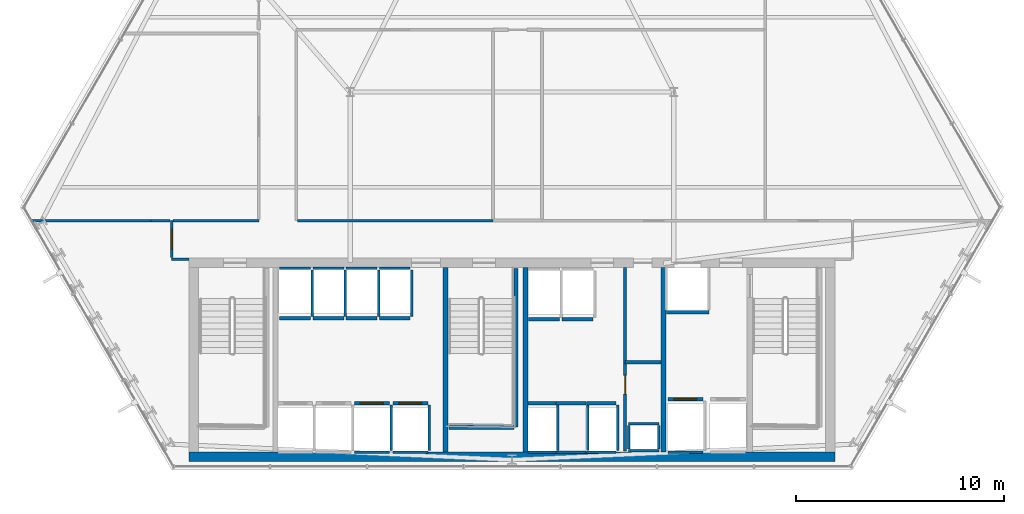
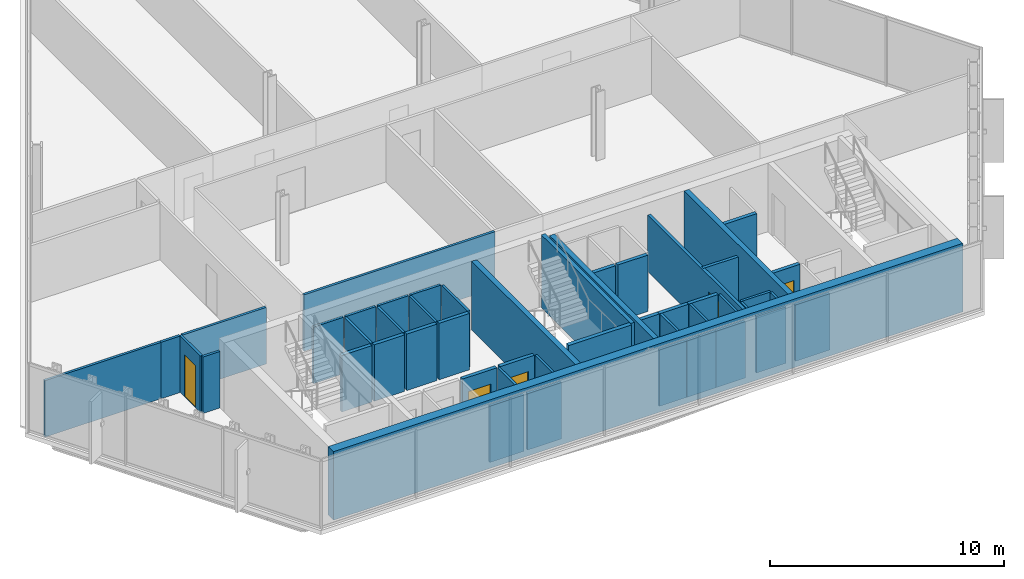
# One storey, part 27 of 33: 50 walls, 5 doors, 5 openings.
"""IFC4 building model written with IfcOpenShell, lengths in metres."""

from ifc_helpers import new_model, si_unit, direction, frame, frame_2d, origin, place, context, subcontext, project, spatial, rectangle, extrude, material, layer, layer_set, type_object, element, fill, save


model = new_model("IFC4")

# Units and contexts
model_context = context("Model", 3, precision=1e-05, world=origin(), true_north=direction((0.0, 1.0)))
body_context = subcontext(model_context, "Body", "Model", "MODEL_VIEW")
ifc_project = project(units=[si_unit("LENGTHUNIT", "METRE"), si_unit("AREAUNIT", "SQUARE_METRE"), si_unit("VOLUMEUNIT", "CUBIC_METRE"), si_unit("PLANEANGLEUNIT", "RADIAN"), si_unit("MASSUNIT", "GRAM", prefix="KILO")], contexts=[model_context])

# Site, building, storey
site_placement = place(None, origin())
site = spatial("IfcSite", under=ifc_project, at=site_placement, CompositionType="ELEMENT")
building_placement = place(site_placement, origin())
building = spatial("IfcBuilding", under=site, at=building_placement, Name="Ndaravel Arena Tower", CompositionType="ELEMENT")
storey_placement = place(building_placement, frame((0.0, 0.0, 81.60009765625)))
storey = spatial("IfcBuildingStorey", under=building, at=storey_placement, Name="L18", CompositionType="ELEMENT", Elevation=81.60009765625)

# Wall, opening, door
ifc_material_1 = material(Name="Gypsum", Category="gypsum")
ifc_layer_1 = layer(ifc_material_1, 0.14990234375)
ifc_layer_set_1 = layer_set([ifc_layer_1], Name="Gypsum")
wall_type_1 = type_object("IfcWallType", Name="WALL-COMP-150", PredefinedType="PARTITIONING", material=ifc_layer_set_1)
wall_1_placement = place(storey_placement, frame((47.449951171875, 5.89990234375, 0.0), z_axis=(0.0, 0.0, 1.0), x_axis=(0.0, 1.0, 0.0)))
wall_1 = element("IfcWall", 1, at=wall_1_placement, inside=storey, type_object=wall_type_1, Name="L18 Core Riser Bay Partition", PredefinedType="PARTITIONING", context=body_context, shape_type="SweptSolid", body=[
    extrude(rectangle(XDim=8.85009765625, YDim=0.14990234375, at=frame_2d((4.425048828125, 0.0))), origin(), (0.0, 0.0, 1.0), 2.949951171875),
])
opening_1_placement = place(wall_1_placement, frame((2.75, 0.0, 0.0)))
opening_1 = element("IfcOpeningElement", 2, at=opening_1_placement, cuts=wall_1, Name="Opening RD-01", PredefinedType="OPENING", context=body_context, shape_type="SweptSolid", body=[
    extrude(rectangle(XDim=0.89990234375, YDim=2.10009765625, at=frame_2d((0.449951171875, 1.050048828125))), frame((0.0, 0.074951171875, 0.0), z_axis=(0.0, -1.0, 0.0), x_axis=(1.0, 0.0, 0.0)), (0.0, 0.0, 1.0), 0.14990234375),
])
ifc_material_2 = material(Name="Steel S355", Category="steel")
door_type_1 = type_object("IfcDoorType", Name="DT-08-RISER-900", OperationType="SINGLE_SWING_LEFT", PredefinedType="DOOR", material=ifc_material_2)
door_1_placement = place(opening_1_placement, origin())
door_1 = element("IfcDoor", 3, at=door_1_placement, inside=storey, type_object=door_type_1, Name="L18 Electrical Riser Door", OperationType="SINGLE_SWING_RIGHT", OverallHeight=2.10009765625, OverallWidth=0.89990234375, PredefinedType="DOOR", context=body_context, shape_type="SweptSolid", body=[
    extrude(rectangle(XDim=0.89990234375, YDim=2.10009765625, at=frame_2d((0.449951171875, 1.050048828125))), frame((0.0, 0.02490234375, 0.0), z_axis=(0.0, -1.0, 0.0), x_axis=(1.0, 0.0, 0.0)), (0.0, 0.0, 1.0), 0.050048828125),
])
fill(opening_1, door_1)

# Walls
wall_2_placement = place(storey_placement, frame((47.449951171875, 10.179931640625, 0.0), z_axis=(0.0, 0.0, 1.0), x_axis=(1.0, 0.0, 0.0)))
element("IfcWall", 4, at=wall_2_placement, inside=storey, type_object=wall_type_1, Name="L18 Core Riser Divider 1", PredefinedType="PARTITIONING", context=body_context, shape_type="SweptSolid", body=[
    extrude(rectangle(XDim=1.72998046875, YDim=0.14990234375, at=frame_2d((0.864990234375, 0.0))), origin(), (0.0, 0.0, 1.0), 2.949951171875),
])
ifc_material_3 = material(Name="Concrete C60/75", Category="concrete")
ifc_layer_2 = layer(ifc_material_3, 0.25)
ifc_layer_set_2 = layer_set([ifc_layer_2], Name="Concrete C60/75")
wall_type_2 = type_object("IfcWallType", Name="WALL-CORE-250", PredefinedType="SOLIDWALL", material=ifc_layer_set_2)
for number, where, z_axis, x_axis, name in (
    (5, (38.800048828125, 5.85009765625, 0.0), (0.0, 0.0, 1.0), (0.0, 1.0, 0.0), "L18 Core Web Shear Wall 2"),
    (6, (42.64990234375, 5.85009765625, 0.0), (0.0, 0.0, 1.0), (0.0, 1.0, 0.0), "L18 Core Web Shear Wall 3"),
    (7, (49.300048828125, 5.85009765625, 0.0), (0.0, 0.0, 1.0), (0.0, 1.0, 0.0), "L18 Core Web Shear Wall 4"),
):
    element("IfcWall", number, at=place(storey_placement, frame(where, z_axis=z_axis, x_axis=x_axis)), inside=storey, type_object=wall_type_2, Name=name, PredefinedType="SOLIDWALL", context=body_context, shape_type="SweptSolid", body=[
        extrude(rectangle(XDim=8.89990234375, YDim=0.25, at=frame_2d((4.449951171875, 0.0))), origin(), (0.0, 0.0, 1.0), 3.579833984375),
    ])
ifc_material_4 = material(Name="Concrete C60/75", Category="concrete")
ifc_layer_3 = layer(ifc_material_4, 0.449951171875)
ifc_layer_set_3 = layer_set([ifc_layer_3], Name="Concrete C60/75")
wall_type_3 = type_object("IfcWallType", Name="WALL-CORE-450", PredefinedType="SOLIDWALL", material=ifc_layer_set_3)
wall_3_placement = place(storey_placement, frame((26.449951171875, 5.625, 0.0), z_axis=(0.0, 0.0, 1.0), x_axis=(1.0, 0.0, 0.0)))
element("IfcWall", 8, at=wall_3_placement, inside=storey, type_object=wall_type_3, Name="L18 Core South Shear Wall", PredefinedType="SOLIDWALL", context=body_context, shape_type="SweptSolid", body=[
    extrude(rectangle(XDim=31.10009765625, YDim=0.449951171875, at=frame_2d((15.550048828125, 0.0))), origin(), (0.0, 0.0, 1.0), 3.579833984375),
])
ifc_material_5 = material(Name="Gypsum", Category="gypsum")
ifc_layer_4 = layer(ifc_material_5, 0.125)
ifc_layer_set_4 = layer_set([ifc_layer_4], Name="Gypsum")
wall_type_4 = type_object("IfcWallType", Name="WALL-PART-125", PredefinedType="PARTITIONING", material=ifc_layer_set_4)
wall_4_placement = place(storey_placement, frame((26.449951171875, 15.14990234375, 0.0), z_axis=(0.0, 0.0, 1.0), x_axis=(-1.0, 0.0, 0.0)))
element("IfcWall", 9, at=wall_4_placement, inside=storey, type_object=wall_type_4, Name="L18 Interior Partition 003", PredefinedType="PARTITIONING", context=body_context, shape_type="SweptSolid", body=[
    extrude(rectangle(XDim=0.849853515625, YDim=0.125, at=frame_2d((0.4248046875, 0.0))), origin(), (0.0, 0.0, 1.0), 2.949951171875),
])

# Wall, opening, door
wall_5_placement = place(storey_placement, frame((25.60009765625, 15.215087890625, 0.0), z_axis=(0.0, 0.0, 1.0), x_axis=(0.0, 1.0, 0.0)))
wall_5 = element("IfcWall", 10, at=wall_5_placement, inside=storey, type_object=wall_type_4, Name="L18 Interior Partition 004", PredefinedType="PARTITIONING", context=body_context, shape_type="SweptSolid", body=[
    extrude(rectangle(XDim=1.784912109375, YDim=0.125, at=frame_2d((0.892578125, 0.0))), origin(), (0.0, 0.0, 1.0), 2.949951171875),
])
opening_2_placement = place(wall_5_placement, frame((0.41748046875, 0.0, 0.0)))
opening_2 = element("IfcOpeningElement", 11, at=opening_2_placement, cuts=wall_5, Name="Opening ID-01", PredefinedType="OPENING", context=body_context, shape_type="SweptSolid", body=[
    extrude(rectangle(XDim=0.949951171875, YDim=2.199951171875, at=frame_2d((0.47509765625, 1.10009765625))), frame((0.0, 0.0625, 0.0), z_axis=(0.0, -1.0, 0.0), x_axis=(1.0, 0.0, 0.0)), (0.0, 0.0, 1.0), 0.125),
])
ifc_material_6 = material(Name="Timber", Category="wood")
door_type_2 = type_object("IfcDoorType", Name="DT-03-OFFICE-950", OperationType="SINGLE_SWING_LEFT", PredefinedType="DOOR", material=ifc_material_6)
door_2_placement = place(opening_2_placement, origin())
door_2 = element("IfcDoor", 12, at=door_2_placement, inside=storey, type_object=door_type_2, Name="L18 Open Plan Workplace Door", OperationType="SINGLE_SWING_LEFT", OverallHeight=2.199951171875, OverallWidth=0.949951171875, PredefinedType="DOOR", context=body_context, shape_type="SweptSolid", body=[
    extrude(rectangle(XDim=0.949951171875, YDim=2.199951171875, at=frame_2d((0.47509765625, 1.10009765625))), frame((0.0, 0.02490234375, 0.0), z_axis=(0.0, -1.0, 0.0), x_axis=(1.0, 0.0, 0.0)), (0.0, 0.0, 1.0), 0.050048828125),
])
fill(opening_2, door_2)

# Walls
wall_6_placement = place(storey_placement, frame((25.6650390625, 17.0, 0.0), z_axis=(0.0, 0.0, 1.0), x_axis=(1.0, 0.0, 0.0)))
element("IfcWall", 13, at=wall_6_placement, inside=storey, type_object=wall_type_4, Name="L18 Interior Partition 005", PredefinedType="PARTITIONING", context=body_context, shape_type="SweptSolid", body=[
    extrude(rectangle(XDim=4.135009765625, YDim=0.125, at=frame_2d((2.0673828125, 0.0))), origin(), (0.0, 0.0, 1.0), 2.949951171875),
])
wall_7_placement = place(storey_placement, frame((31.6650390625, 17.0, 0.0), z_axis=(0.0, 0.0, 1.0), x_axis=(1.0, 0.0, 0.0)))
element("IfcWall", 14, at=wall_7_placement, inside=storey, type_object=wall_type_4, Name="L18 Interior Partition 018", PredefinedType="PARTITIONING", context=body_context, shape_type="SweptSolid", body=[
    extrude(rectangle(XDim=9.427001953125, YDim=0.125, at=frame_2d((4.71337890625, 0.0))), origin(), (0.0, 0.0, 1.0), 2.949951171875),
])
wall_8_placement = place(storey_placement, frame((18.855224609375, 17.0, 0.0), z_axis=(0.0, 0.0, 1.0), x_axis=(1.0, 0.0, 0.0)))
element("IfcWall", 15, at=wall_8_placement, inside=storey, type_object=wall_type_4, Name="L18 Interior Partition 022", PredefinedType="PARTITIONING", context=body_context, shape_type="SweptSolid", body=[
    extrude(rectangle(XDim=5.744873046875, YDim=0.125, at=frame_2d((2.87255859375, 0.0))), origin(), (0.0, 0.0, 1.0), 2.949951171875),
])
wall_9_placement = place(storey_placement, frame((24.60009765625, 17.0, 0.0), z_axis=(0.0, 0.0, 1.0), x_axis=(1.0, 0.0, 0.0)))
element("IfcWall", 16, at=wall_9_placement, inside=storey, type_object=wall_type_4, Name="L18 Interior Partition 023", PredefinedType="PARTITIONING", context=body_context, shape_type="SweptSolid", body=[
    extrude(rectangle(XDim=0.934814453125, YDim=0.125, at=frame_2d((0.46728515625, 0.0))), origin(), (0.0, 0.0, 1.0), 2.949951171875),
])
ifc_material_7 = material(Name="Concrete C40/50", Category="concrete")
ifc_layer_5 = layer(ifc_material_7, 0.1201171875)
ifc_layer_set_5 = layer_set([ifc_layer_5], Name="Concrete C40/50")
wall_type_5 = type_object("IfcWallType", Name="WALL-SHAFT-120", PredefinedType="SOLIDWALL", material=ifc_layer_set_5)
for number, where, z_axis, x_axis, name in (
    (17, (47.6201171875, 5.919921875, 0.0), (0.0, 0.0, 1.0), (1.0, 0.0, 0.0), "L18 MEP Riser Shaft S Wall"),
    (18, (47.6201171875, 7.219970703125, 0.0), (0.0, 0.0, 1.0), (1.0, 0.0, 0.0), "L18 MEP Riser Shaft N Wall"),
):
    element("IfcWall", number, at=place(storey_placement, frame(where, z_axis=z_axis, x_axis=x_axis)), inside=storey, type_object=wall_type_5, Name=name, PredefinedType="SOLIDWALL", context=body_context, shape_type="SweptSolid", body=[
        extrude(rectangle(XDim=1.4599609375, YDim=0.1201171875, at=frame_2d((0.72998046875, 0.0))), origin(), (0.0, 0.0, 1.0), 2.949951171875),
    ])
for number, where, z_axis, x_axis, name in (
    (19, (47.6201171875, 6.0, 0.0), (0.0, 0.0, 1.0), (0.0, 1.0, 0.0), "L18 MEP Riser Shaft W Wall"),
    (20, (49.080078125, 6.0, 0.0), (0.0, 0.0, 1.0), (0.0, 1.0, 0.0), "L18 MEP Riser Shaft E Wall"),
):
    element("IfcWall", number, at=place(storey_placement, frame(where, z_axis=z_axis, x_axis=x_axis)), inside=storey, type_object=wall_type_5, Name=name, PredefinedType="SOLIDWALL", context=body_context, shape_type="SweptSolid", body=[
        extrude(rectangle(XDim=1.139892578125, YDim=0.1201171875, at=frame_2d((0.56982421875, 0.0))), origin(), (0.0, 0.0, 1.0), 2.949951171875),
    ])
wall_10_placement = place(storey_placement, frame((34.405029296875, 5.840087890625, 0.0), z_axis=(0.0, 0.0, 1.0), x_axis=(1.0, 0.0, 0.0)))
element("IfcWall", 21, at=wall_10_placement, inside=storey, type_object=wall_type_5, Name="L18 PL-L3 Shaft Rear Wall", PredefinedType="SOLIDWALL", context=body_context, shape_type="SweptSolid", body=[
    extrude(rectangle(XDim=1.68994140625, YDim=0.1201171875, at=frame_2d((0.844970703125, 0.0))), origin(), (0.0, 0.0, 1.0), 2.949951171875),
])
wall_11_placement = place(storey_placement, frame((36.175048828125, 5.929931640625, 0.0), z_axis=(0.0, 0.0, 1.0), x_axis=(0.0, 1.0, 0.0)))
element("IfcWall", 22, at=wall_11_placement, inside=storey, type_object=wall_type_5, Name="L18 PL-L3 Shaft Side R Wall", PredefinedType="SOLIDWALL", context=body_context, shape_type="SweptSolid", body=[
    extrude(rectangle(XDim=2.18017578125, YDim=0.1201171875, at=frame_2d((1.090087890625, 0.0))), origin(), (0.0, 0.0, 1.0), 2.949951171875),
])
wall_12_placement = place(storey_placement, frame((36.2548828125, 5.840087890625, 0.0), z_axis=(0.0, 0.0, 1.0), x_axis=(1.0, 0.0, 0.0)))
element("IfcWall", 23, at=wall_12_placement, inside=storey, type_object=wall_type_5, Name="L18 PL-L4 Shaft Rear Wall", PredefinedType="SOLIDWALL", context=body_context, shape_type="SweptSolid", body=[
    extrude(rectangle(XDim=1.690185546875, YDim=0.1201171875, at=frame_2d((0.84521484375, 0.0))), origin(), (0.0, 0.0, 1.0), 2.949951171875),
])
wall_13_placement = place(storey_placement, frame((38.02490234375, 5.929931640625, 0.0), z_axis=(0.0, 0.0, 1.0), x_axis=(0.0, 1.0, 0.0)))
element("IfcWall", 24, at=wall_13_placement, inside=storey, type_object=wall_type_5, Name="L18 PL-L4 Shaft Side R Wall", PredefinedType="SOLIDWALL", context=body_context, shape_type="SweptSolid", body=[
    extrude(rectangle(XDim=2.18017578125, YDim=0.1201171875, at=frame_2d((1.090087890625, 0.0))), origin(), (0.0, 0.0, 1.0), 2.949951171875),
])
wall_14_placement = place(storey_placement, frame((30.804931640625, 14.7099609375, 0.0), z_axis=(0.0, 0.0, 1.0), x_axis=(1.0, 0.0, 0.0)))
element("IfcWall", 25, at=wall_14_placement, inside=storey, type_object=wall_type_5, Name="L18 PL-M1 Shaft Rear Wall", PredefinedType="SOLIDWALL", context=body_context, shape_type="SweptSolid", body=[
    extrude(rectangle(XDim=1.489990234375, YDim=0.1201171875, at=frame_2d((0.7451171875, 0.0))), origin(), (0.0, 0.0, 1.0), 2.949951171875),
])
wall_15_placement = place(storey_placement, frame((32.375, 12.389892578125, 0.0), z_axis=(0.0, 0.0, 1.0), x_axis=(0.0, 1.0, 0.0)))
element("IfcWall", 26, at=wall_15_placement, inside=storey, type_object=wall_type_5, Name="L18 PL-M1 Shaft Side R Wall", PredefinedType="SOLIDWALL", context=body_context, shape_type="SweptSolid", body=[
    extrude(rectangle(XDim=2.230224609375, YDim=0.1201171875, at=frame_2d((1.115234375, 0.0))), origin(), (0.0, 0.0, 1.0), 2.949951171875),
])
wall_16_placement = place(storey_placement, frame((32.405029296875, 14.7099609375, 0.0), z_axis=(0.0, 0.0, 1.0), x_axis=(1.0, 0.0, 0.0)))
element("IfcWall", 27, at=wall_16_placement, inside=storey, type_object=wall_type_5, Name="L18 PL-M2 Shaft Rear Wall", PredefinedType="SOLIDWALL", context=body_context, shape_type="SweptSolid", body=[
    extrude(rectangle(XDim=1.489990234375, YDim=0.1201171875, at=frame_2d((0.7451171875, 0.0))), origin(), (0.0, 0.0, 1.0), 2.949951171875),
])
wall_17_placement = place(storey_placement, frame((33.97509765625, 12.389892578125, 0.0), z_axis=(0.0, 0.0, 1.0), x_axis=(0.0, 1.0, 0.0)))
element("IfcWall", 28, at=wall_17_placement, inside=storey, type_object=wall_type_5, Name="L18 PL-M2 Shaft Side R Wall", PredefinedType="SOLIDWALL", context=body_context, shape_type="SweptSolid", body=[
    extrude(rectangle(XDim=2.230224609375, YDim=0.1201171875, at=frame_2d((1.115234375, 0.0))), origin(), (0.0, 0.0, 1.0), 2.949951171875),
])
wall_18_placement = place(storey_placement, frame((34.0048828125, 14.7099609375, 0.0), z_axis=(0.0, 0.0, 1.0), x_axis=(1.0, 0.0, 0.0)))
element("IfcWall", 29, at=wall_18_placement, inside=storey, type_object=wall_type_5, Name="L18 PL-M3 Shaft Rear Wall", PredefinedType="SOLIDWALL", context=body_context, shape_type="SweptSolid", body=[
    extrude(rectangle(XDim=1.490234375, YDim=0.1201171875, at=frame_2d((0.7451171875, 0.0))), origin(), (0.0, 0.0, 1.0), 2.949951171875),
])
wall_19_placement = place(storey_placement, frame((35.574951171875, 12.389892578125, 0.0), z_axis=(0.0, 0.0, 1.0), x_axis=(0.0, 1.0, 0.0)))
element("IfcWall", 30, at=wall_19_placement, inside=storey, type_object=wall_type_5, Name="L18 PL-M3 Shaft Side R Wall", PredefinedType="SOLIDWALL", context=body_context, shape_type="SweptSolid", body=[
    extrude(rectangle(XDim=2.230224609375, YDim=0.1201171875, at=frame_2d((1.115234375, 0.0))), origin(), (0.0, 0.0, 1.0), 2.949951171875),
])
wall_20_placement = place(storey_placement, frame((35.60498046875, 14.7099609375, 0.0), z_axis=(0.0, 0.0, 1.0), x_axis=(1.0, 0.0, 0.0)))
element("IfcWall", 31, at=wall_20_placement, inside=storey, type_object=wall_type_5, Name="L18 PL-M4 Shaft Rear Wall", PredefinedType="SOLIDWALL", context=body_context, shape_type="SweptSolid", body=[
    extrude(rectangle(XDim=1.489990234375, YDim=0.1201171875, at=frame_2d((0.7451171875, 0.0))), origin(), (0.0, 0.0, 1.0), 2.949951171875),
])
wall_21_placement = place(storey_placement, frame((37.175048828125, 12.389892578125, 0.0), z_axis=(0.0, 0.0, 1.0), x_axis=(0.0, 1.0, 0.0)))
element("IfcWall", 32, at=wall_21_placement, inside=storey, type_object=wall_type_5, Name="L18 PL-M4 Shaft Side R Wall", PredefinedType="SOLIDWALL", context=body_context, shape_type="SweptSolid", body=[
    extrude(rectangle(XDim=2.230224609375, YDim=0.1201171875, at=frame_2d((1.115234375, 0.0))), origin(), (0.0, 0.0, 1.0), 2.949951171875),
])
wall_22_placement = place(storey_placement, frame((42.780029296875, 5.840087890625, 0.0), z_axis=(0.0, 0.0, 1.0), x_axis=(1.0, 0.0, 0.0)))
element("IfcWall", 33, at=wall_22_placement, inside=storey, type_object=wall_type_5, Name="L18 PL-H1 Shaft Rear Wall", PredefinedType="SOLIDWALL", context=body_context, shape_type="SweptSolid", body=[
    extrude(rectangle(XDim=1.340087890625, YDim=0.1201171875, at=frame_2d((0.669921875, 0.0))), origin(), (0.0, 0.0, 1.0), 2.949951171875),
])
wall_23_placement = place(storey_placement, frame((44.199951171875, 5.929931640625, 0.0), z_axis=(0.0, 0.0, 1.0), x_axis=(0.0, 1.0, 0.0)))
element("IfcWall", 34, at=wall_23_placement, inside=storey, type_object=wall_type_5, Name="L18 PL-H1 Shaft Side R Wall", PredefinedType="SOLIDWALL", context=body_context, shape_type="SweptSolid", body=[
    extrude(rectangle(XDim=2.18017578125, YDim=0.1201171875, at=frame_2d((1.090087890625, 0.0))), origin(), (0.0, 0.0, 1.0), 2.949951171875),
])
wall_24_placement = place(storey_placement, frame((44.1298828125, 5.840087890625, 0.0), z_axis=(0.0, 0.0, 1.0), x_axis=(1.0, 0.0, 0.0)))
element("IfcWall", 35, at=wall_24_placement, inside=storey, type_object=wall_type_5, Name="L18 PL-H2 Shaft Rear Wall", PredefinedType="SOLIDWALL", context=body_context, shape_type="SweptSolid", body=[
    extrude(rectangle(XDim=1.440185546875, YDim=0.1201171875, at=frame_2d((0.72021484375, 0.0))), origin(), (0.0, 0.0, 1.0), 2.949951171875),
])
wall_25_placement = place(storey_placement, frame((45.64990234375, 5.929931640625, 0.0), z_axis=(0.0, 0.0, 1.0), x_axis=(0.0, 1.0, 0.0)))
element("IfcWall", 36, at=wall_25_placement, inside=storey, type_object=wall_type_5, Name="L18 PL-H2 Shaft Side R Wall", PredefinedType="SOLIDWALL", context=body_context, shape_type="SweptSolid", body=[
    extrude(rectangle(XDim=2.18017578125, YDim=0.1201171875, at=frame_2d((1.090087890625, 0.0))), origin(), (0.0, 0.0, 1.0), 2.949951171875),
])
wall_26_placement = place(storey_placement, frame((45.580078125, 5.840087890625, 0.0), z_axis=(0.0, 0.0, 1.0), x_axis=(1.0, 0.0, 0.0)))
element("IfcWall", 37, at=wall_26_placement, inside=storey, type_object=wall_type_5, Name="L18 PL-H3 Shaft Rear Wall", PredefinedType="SOLIDWALL", context=body_context, shape_type="SweptSolid", body=[
    extrude(rectangle(XDim=1.43994140625, YDim=0.1201171875, at=frame_2d((0.719970703125, 0.0))), origin(), (0.0, 0.0, 1.0), 2.949951171875),
])
wall_27_placement = place(storey_placement, frame((47.10009765625, 5.929931640625, 0.0), z_axis=(0.0, 0.0, 1.0), x_axis=(0.0, 1.0, 0.0)))
element("IfcWall", 38, at=wall_27_placement, inside=storey, type_object=wall_type_5, Name="L18 PL-H3 Shaft Side R Wall", PredefinedType="SOLIDWALL", context=body_context, shape_type="SweptSolid", body=[
    extrude(rectangle(XDim=2.18017578125, YDim=0.1201171875, at=frame_2d((1.090087890625, 0.0))), origin(), (0.0, 0.0, 1.0), 2.949951171875),
])
wall_28_placement = place(storey_placement, frame((49.5048828125, 5.840087890625, 0.0), z_axis=(0.0, 0.0, 1.0), x_axis=(1.0, 0.0, 0.0)))
element("IfcWall", 39, at=wall_28_placement, inside=storey, type_object=wall_type_5, Name="L18 FFL-1 Shaft Rear Wall", PredefinedType="SOLIDWALL", context=body_context, shape_type="SweptSolid", body=[
    extrude(rectangle(XDim=1.690185546875, YDim=0.1201171875, at=frame_2d((0.84521484375, 0.0))), origin(), (0.0, 0.0, 1.0), 2.949951171875),
])
ifc_material_8 = material(Name="Concrete C40/50", Category="concrete")
ifc_layer_6 = layer(ifc_material_8, 0.199951171875)
ifc_layer_set_6 = layer_set([ifc_layer_6], Name="Concrete C40/50")
wall_type_6 = type_object("IfcWallType", Name="WALL-SHAFT-200", PredefinedType="SOLIDWALL", material=ifc_layer_set_6)
wall_29_placement = place(storey_placement, frame((42.18994140625, 14.699951171875, 0.0), z_axis=(0.0, 0.0, 1.0), x_axis=(0.0, -1.0, 0.0)))
element("IfcWall", 40, at=wall_29_placement, inside=storey, type_object=wall_type_6, Name="L18 ST-2 Structural Shaft Wall Right", PredefinedType="SOLIDWALL", context=body_context, shape_type="SweptSolid", body=[
    extrude(rectangle(XDim=7.64990234375, YDim=0.199951171875, at=frame_2d((3.824951171875, 0.0))), origin(), (0.0, 0.0, 1.0), 3.7998046875),
])
wall_30_placement = place(storey_placement, frame((38.969970703125, 7.050048828125, 0.0), z_axis=(0.0, 0.0, 1.0), x_axis=(1.0, 0.0, 0.0)))
element("IfcWall", 41, at=wall_30_placement, inside=storey, type_object=wall_type_6, Name="L18 ST-2 Structural Shaft Wall Far", PredefinedType="SOLIDWALL", context=body_context, shape_type="SweptSolid", body=[
    extrude(rectangle(XDim=3.114990234375, YDim=0.199951171875, at=frame_2d((1.5576171875, 0.0))), origin(), (0.0, 0.0, 1.0), 3.7998046875),
])

# Wall, opening, door
wall_31_placement = place(storey_placement, frame((34.405029296875, 8.199951171875, 0.0), z_axis=(0.0, 0.0, 1.0), x_axis=(1.0, 0.0, 0.0)))
wall_31 = element("IfcWall", 42, at=wall_31_placement, inside=storey, type_object=wall_type_6, Name="L18 PL-L3 Shaft Landing Wall", PredefinedType="SOLIDWALL", context=body_context, shape_type="SweptSolid", body=[
    extrude(rectangle(XDim=1.68994140625, YDim=0.179931640625, at=frame_2d((0.844970703125, 0.0))), origin(), (0.0, 0.0, 1.0), 2.949951171875),
])
opening_3_placement = place(wall_31_placement, frame((0.294921875, 0.0, 0.0)))
opening_3 = element("IfcOpeningElement", 43, at=opening_3_placement, cuts=wall_31, Name="Opening LD-01", PredefinedType="OPENING", context=body_context, shape_type="SweptSolid", body=[
    extrude(rectangle(XDim=1.10009765625, YDim=2.199951171875, at=frame_2d((0.550048828125, 1.10009765625))), frame((0.0, 0.08984375, 0.0), z_axis=(0.0, -1.0, 0.0), x_axis=(1.0, 0.0, 0.0)), (0.0, 0.0, 1.0), 0.179931640625),
])
ifc_material_9 = material(Name="Steel S355", Category="steel")
door_type_3 = type_object("IfcDoorType", Name="DT-06-LIFT-1100", OperationType="SLIDING_TO_LEFT", PredefinedType="DOOR", material=ifc_material_9)
door_3_placement = place(opening_3_placement, origin())
door_3 = element("IfcDoor", 44, at=door_3_placement, inside=storey, type_object=door_type_3, Name="L18 Lift PL-L3 Sliding Landing Door", OperationType="SLIDING_TO_LEFT", OverallHeight=2.199951171875, OverallWidth=1.10009765625, PredefinedType="DOOR", context=body_context, shape_type="SweptSolid", body=[
    extrude(rectangle(XDim=1.10009765625, YDim=2.199951171875, at=frame_2d((0.550048828125, 1.10009765625))), frame((0.0, 0.02490234375, 0.0), z_axis=(0.0, -1.0, 0.0), x_axis=(1.0, 0.0, 0.0)), (0.0, 0.0, 1.0), 0.050048828125),
])
fill(opening_3, door_3)

wall_32_placement = place(storey_placement, frame((36.2548828125, 8.199951171875, 0.0), z_axis=(0.0, 0.0, 1.0), x_axis=(1.0, 0.0, 0.0)))
wall_32 = element("IfcWall", 45, at=wall_32_placement, inside=storey, type_object=wall_type_6, Name="L18 PL-L4 Shaft Landing Wall", PredefinedType="SOLIDWALL", context=body_context, shape_type="SweptSolid", body=[
    extrude(rectangle(XDim=1.690185546875, YDim=0.179931640625, at=frame_2d((0.84521484375, 0.0))), origin(), (0.0, 0.0, 1.0), 2.949951171875),
])
opening_4_placement = place(wall_32_placement, frame((0.294921875, 0.0, 0.0)))
opening_4 = element("IfcOpeningElement", 46, at=opening_4_placement, cuts=wall_32, Name="Opening LD-01", PredefinedType="OPENING", context=body_context, shape_type="SweptSolid", body=[
    extrude(rectangle(XDim=1.10009765625, YDim=2.199951171875, at=frame_2d((0.550048828125, 1.10009765625))), frame((0.0, 0.08984375, 0.0), z_axis=(0.0, -1.0, 0.0), x_axis=(1.0, 0.0, 0.0)), (0.0, 0.0, 1.0), 0.179931640625),
])
door_4_placement = place(opening_4_placement, origin())
door_4 = element("IfcDoor", 47, at=door_4_placement, inside=storey, type_object=door_type_3, Name="L18 Lift PL-L4 Sliding Landing Door", OperationType="SLIDING_TO_LEFT", OverallHeight=2.199951171875, OverallWidth=1.10009765625, PredefinedType="DOOR", context=body_context, shape_type="SweptSolid", body=[
    extrude(rectangle(XDim=1.10009765625, YDim=2.199951171875, at=frame_2d((0.550048828125, 1.10009765625))), frame((0.0, 0.02490234375, 0.0), z_axis=(0.0, -1.0, 0.0), x_axis=(1.0, 0.0, 0.0)), (0.0, 0.0, 1.0), 0.050048828125),
])
fill(opening_4, door_4)

# Walls
for number, where, z_axis, x_axis, name in (
    (48, (30.804931640625, 12.300048828125, 0.0), (0.0, 0.0, 1.0), (1.0, 0.0, 0.0), "L18 PL-M1 Shaft Landing Wall"),
    (49, (32.405029296875, 12.300048828125, 0.0), (0.0, 0.0, 1.0), (1.0, 0.0, 0.0), "L18 PL-M2 Shaft Landing Wall"),
):
    element("IfcWall", number, at=place(storey_placement, frame(where, z_axis=z_axis, x_axis=x_axis)), inside=storey, type_object=wall_type_6, Name=name, PredefinedType="SOLIDWALL", context=body_context, shape_type="SweptSolid", body=[
        extrude(rectangle(XDim=1.489990234375, YDim=0.179931640625, at=frame_2d((0.7451171875, 0.0))), origin(), (0.0, 0.0, 1.0), 2.949951171875),
    ])
wall_33_placement = place(storey_placement, frame((34.0048828125, 12.300048828125, 0.0), z_axis=(0.0, 0.0, 1.0), x_axis=(1.0, 0.0, 0.0)))
element("IfcWall", 50, at=wall_33_placement, inside=storey, type_object=wall_type_6, Name="L18 PL-M3 Shaft Landing Wall", PredefinedType="SOLIDWALL", context=body_context, shape_type="SweptSolid", body=[
    extrude(rectangle(XDim=1.490234375, YDim=0.179931640625, at=frame_2d((0.7451171875, 0.0))), origin(), (0.0, 0.0, 1.0), 2.949951171875),
])
wall_34_placement = place(storey_placement, frame((35.60498046875, 12.300048828125, 0.0), z_axis=(0.0, 0.0, 1.0), x_axis=(1.0, 0.0, 0.0)))
element("IfcWall", 51, at=wall_34_placement, inside=storey, type_object=wall_type_6, Name="L18 PL-M4 Shaft Landing Wall", PredefinedType="SOLIDWALL", context=body_context, shape_type="SweptSolid", body=[
    extrude(rectangle(XDim=1.489990234375, YDim=0.179931640625, at=frame_2d((0.7451171875, 0.0))), origin(), (0.0, 0.0, 1.0), 2.949951171875),
])
wall_35_placement = place(storey_placement, frame((42.780029296875, 8.199951171875, 0.0), z_axis=(0.0, 0.0, 1.0), x_axis=(1.0, 0.0, 0.0)))
element("IfcWall", 52, at=wall_35_placement, inside=storey, type_object=wall_type_6, Name="L18 PL-H1 Shaft Landing Wall", PredefinedType="SOLIDWALL", context=body_context, shape_type="SweptSolid", body=[
    extrude(rectangle(XDim=1.340087890625, YDim=0.179931640625, at=frame_2d((0.669921875, 0.0))), origin(), (0.0, 0.0, 1.0), 2.949951171875),
])
wall_36_placement = place(storey_placement, frame((44.1298828125, 8.199951171875, 0.0), z_axis=(0.0, 0.0, 1.0), x_axis=(1.0, 0.0, 0.0)))
element("IfcWall", 53, at=wall_36_placement, inside=storey, type_object=wall_type_6, Name="L18 PL-H2 Shaft Landing Wall", PredefinedType="SOLIDWALL", context=body_context, shape_type="SweptSolid", body=[
    extrude(rectangle(XDim=1.440185546875, YDim=0.179931640625, at=frame_2d((0.72021484375, 0.0))), origin(), (0.0, 0.0, 1.0), 2.949951171875),
])
wall_37_placement = place(storey_placement, frame((45.580078125, 8.199951171875, 0.0), z_axis=(0.0, 0.0, 1.0), x_axis=(1.0, 0.0, 0.0)))
element("IfcWall", 54, at=wall_37_placement, inside=storey, type_object=wall_type_6, Name="L18 PL-H3 Shaft Landing Wall", PredefinedType="SOLIDWALL", context=body_context, shape_type="SweptSolid", body=[
    extrude(rectangle(XDim=1.43994140625, YDim=0.179931640625, at=frame_2d((0.719970703125, 0.0))), origin(), (0.0, 0.0, 1.0), 2.949951171875),
])
for number, where, z_axis, x_axis, name in (
    (55, (42.804931640625, 12.25, 0.0), (0.0, 0.0, 1.0), (1.0, 0.0, 0.0), "L18 PL-OBS1 Shaft Landing Wall"),
    (56, (44.405029296875, 12.25, 0.0), (0.0, 0.0, 1.0), (1.0, 0.0, 0.0), "L18 PL-OBS2 Shaft Landing Wall"),
):
    element("IfcWall", number, at=place(storey_placement, frame(where, z_axis=z_axis, x_axis=x_axis)), inside=storey, type_object=wall_type_6, Name=name, PredefinedType="SOLIDWALL", context=body_context, shape_type="SweptSolid", body=[
        extrude(rectangle(XDim=1.489990234375, YDim=0.179931640625, at=frame_2d((0.7451171875, 0.0))), origin(), (0.0, 0.0, 1.0), 2.949951171875),
    ])

# Wall, opening, door
wall_38_placement = place(storey_placement, frame((49.5048828125, 8.39990234375, 0.0), z_axis=(0.0, 0.0, 1.0), x_axis=(1.0, 0.0, 0.0)))
wall_38 = element("IfcWall", 57, at=wall_38_placement, inside=storey, type_object=wall_type_6, Name="L18 FFL-1 Shaft Landing Wall", PredefinedType="SOLIDWALL", context=body_context, shape_type="SweptSolid", body=[
    extrude(rectangle(XDim=1.690185546875, YDim=0.179931640625, at=frame_2d((0.84521484375, 0.0))), origin(), (0.0, 0.0, 1.0), 2.949951171875),
])
opening_5_placement = place(wall_38_placement, frame((0.294921875, 0.0, 0.0)))
opening_5 = element("IfcOpeningElement", 58, at=opening_5_placement, cuts=wall_38, Name="Opening LD-01", PredefinedType="OPENING", context=body_context, shape_type="SweptSolid", body=[
    extrude(rectangle(XDim=1.10009765625, YDim=2.199951171875, at=frame_2d((0.550048828125, 1.10009765625))), frame((0.0, 0.08984375, 0.0), z_axis=(0.0, -1.0, 0.0), x_axis=(1.0, 0.0, 0.0)), (0.0, 0.0, 1.0), 0.179931640625),
])
door_5_placement = place(opening_5_placement, origin())
door_5 = element("IfcDoor", 59, at=door_5_placement, inside=storey, type_object=door_type_3, Name="L18 Lift FFL-1 Sliding Landing Door", OperationType="SLIDING_TO_LEFT", OverallHeight=2.199951171875, OverallWidth=1.10009765625, PredefinedType="DOOR", context=body_context, shape_type="SweptSolid", body=[
    extrude(rectangle(XDim=1.10009765625, YDim=2.199951171875, at=frame_2d((0.550048828125, 1.10009765625))), frame((0.0, 0.02490234375, 0.0), z_axis=(0.0, -1.0, 0.0), x_axis=(1.0, 0.0, 0.0)), (0.0, 0.0, 1.0), 0.050048828125),
])
fill(opening_5, door_5)

# Wall
wall_39_placement = place(storey_placement, frame((49.43994140625, 12.594970703125, 0.0), z_axis=(0.0, 0.0, 1.0), x_axis=(1.0, 0.0, 0.0)))
element("IfcWall", 60, at=wall_39_placement, inside=storey, type_object=wall_type_6, Name="L18 SVL-1 Shaft South Wall", PredefinedType="SOLIDWALL", context=body_context, shape_type="SweptSolid", body=[
    extrude(rectangle(XDim=2.0400390625, YDim=0.179931640625, at=frame_2d((1.02001953125, 0.0))), origin(), (0.0, 0.0, 1.0), 2.949951171875),
])

save(model, "model.ifc")
